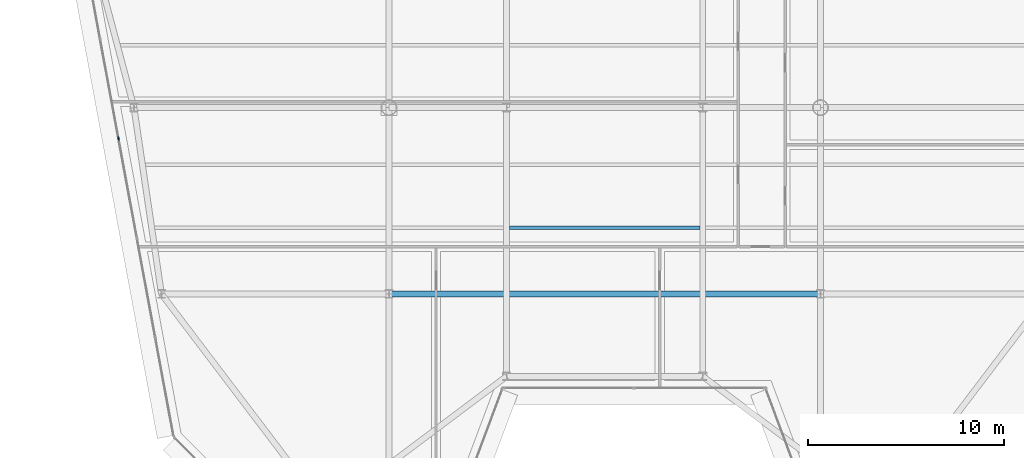
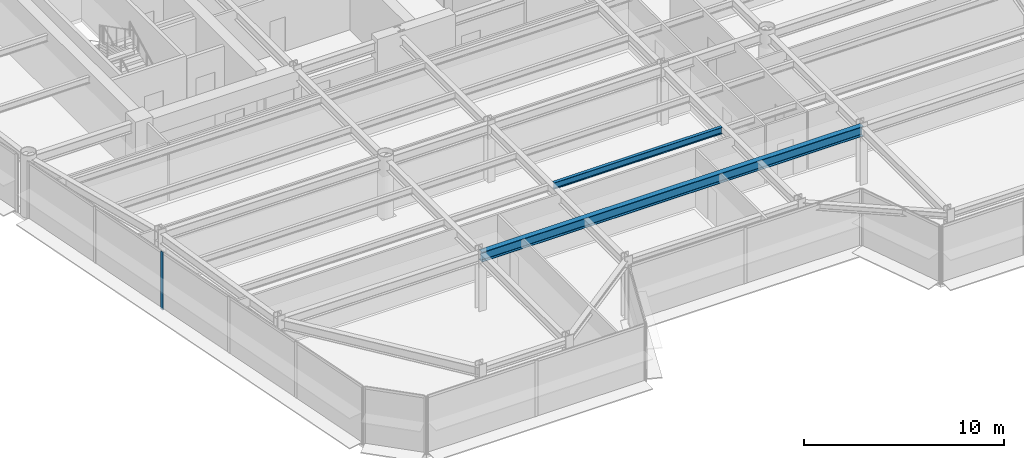
# One storey, part 3 of 17: 2 beams, 1 member, 1 element without a shape of its own.
"""IFC4 building model written with IfcOpenShell, lengths in metres."""

import ifcopenshell
import ifcopenshell.guid

model = None  # the IFC model being written
_history = None  # IfcOwnerHistory: only IFC2X3 demands one
_inside = {}  # id of a spatial element -> (the spatial element, [elements in it])
_under = {}  # id of a project, library or spatial element -> (it, [spatial elements below it])
_declared = {}  # id of a project -> (the project, [libraries it declares])
_typed = {}  # id of a type object -> (the type object, [elements of that type])
_made_of = {}  # id of a material, layer set ... -> (it, [elements and type objects made of it])


def new_model(schema):
    """Start an empty IFC model of exactly this schema.

    Asked for "IFC4X3", IfcOpenShell would pick the latest addendum, in which some entities
    have other attributes; the version numbers below select the first issue.
    IFC2X3 requires an IfcOwnerHistory on every rooted entity: one is made here for all.
    """
    global model, _history
    if schema == "IFC4X3":
        model = ifcopenshell.file(schema_version=(4, 3, 0, 0))
    else:
        model = ifcopenshell.file(schema=schema)
    _inside.clear()
    _under.clear()
    _declared.clear()
    _typed.clear()
    _made_of.clear()
    _history = None
    if model.schema == "IFC2X3":
        org = make("IfcOrganization", Name="unknown")
        user = make(
            "IfcPersonAndOrganization",
            ThePerson=make("IfcPerson", FamilyName="unknown"),
            TheOrganization=org,
        )
        app = make(
            "IfcApplication",
            ApplicationDeveloper=org,
            Version="unknown",
            ApplicationFullName="unknown",
            ApplicationIdentifier="unknown",
        )
        _history = make(
            "IfcOwnerHistory",
            OwningUser=user,
            OwningApplication=app,
            ChangeAction="ADDED",
            CreationDate=0,
        )
    return model


def make(cls, **values):
    """One entity of the class cls with the attributes given. An attribute that is None is left unset."""
    return model.create_entity(
        cls, **{name: value for name, value in values.items() if value is not None}
    )


def rooted(cls, **values):
    """An entity with a GlobalId (a new one), such as an element, a storey or a relation."""
    return make(cls, GlobalId=ifcopenshell.guid.new(), OwnerHistory=_history, **values)


def si_unit(unit_type, name, prefix=None):
    """IfcSIUnit, for example si_unit("LENGTHUNIT", "METRE", prefix="MILLI")."""
    return make("IfcSIUnit", UnitType=unit_type, Prefix=prefix, Name=name)


def assignment(units):
    """IfcUnitAssignment: the units of a project."""
    return None if units is None else make("IfcUnitAssignment", Units=units)


def point(xyz):
    """IfcCartesianPoint."""
    return None if xyz is None else make("IfcCartesianPoint", Coordinates=xyz)


def direction(xyz):
    """IfcDirection."""
    return None if xyz is None else make("IfcDirection", DirectionRatios=xyz)


def frame(location, z_axis=None, x_axis=None):
    """IfcAxis2Placement3D, a coordinate frame: its origin and axes. An axis left out is left unset."""
    return make(
        "IfcAxis2Placement3D",
        Location=point(location),
        Axis=direction(z_axis),
        RefDirection=direction(x_axis),
    )


def frame_2d(location, x_axis=None):
    """IfcAxis2Placement2D, a coordinate frame in the plane: its origin and x axis."""
    return make(
        "IfcAxis2Placement2D", Location=point(location), RefDirection=direction(x_axis)
    )


def origin():
    """The frame at (0, 0, 0) with its axes left unset."""
    return frame((0.0, 0.0, 0.0))


def origin_2d():
    """The frame at (0, 0) in the plane with its x axis left unset."""
    return frame_2d((0.0, 0.0))


def place(relative_to, where):
    """IfcLocalPlacement: puts the frame where relative to a parent placement (None: the world)."""
    return make(
        "IfcLocalPlacement", PlacementRelTo=relative_to, RelativePlacement=where
    )


def context(
    kind, dimensions, precision=None, world=None, true_north=None, identifier=None
):
    """IfcGeometricRepresentationContext, for example the 3D "Model" context."""
    return make(
        "IfcGeometricRepresentationContext",
        ContextIdentifier=identifier,
        ContextType=kind,
        CoordinateSpaceDimension=dimensions,
        Precision=precision,
        WorldCoordinateSystem=world,
        TrueNorth=true_north,
    )


def subcontext(parent, identifier, kind, view, scale=None):
    """IfcGeometricRepresentationSubContext, for example "Body" below "Model"."""
    return make(
        "IfcGeometricRepresentationSubContext",
        ContextIdentifier=identifier,
        ContextType=kind,
        ParentContext=parent,
        TargetScale=scale,
        TargetView=view,
    )


def project(units=None, contexts=None):
    """IfcProject with its units and contexts."""
    return rooted(
        "IfcProject",
        Name="project",
        RepresentationContexts=contexts,
        UnitsInContext=assignment(units),
    )


def spatial(cls, under=None, at=None, **own):
    """A site, building, storey or space (cls), placed at a placement, below another one or the project."""
    s = rooted(cls, ObjectPlacement=at, **own)
    if under is not None:
        _under.setdefault(under.id(), (under, []))[1].append(s)
    return s


def profile(cls, at=None, kind="AREA", **sizes):
    """A parametric profile (cls). Its sizes go by their IFC names, for example OverallWidth=200.0."""
    return make(cls, ProfileType=kind, Position=at, **sizes)


def rectangle(**sizes):
    """IfcRectangleProfileDef."""
    return profile("IfcRectangleProfileDef", **sizes)


def i_section(**sizes):
    """IfcIShapeProfileDef."""
    return profile("IfcIShapeProfileDef", **sizes)


def extrude(swept, where, along, depth):
    """IfcExtrudedAreaSolid: the profile swept, set in the frame where, extruded along a direction by depth."""
    return make(
        "IfcExtrudedAreaSolid",
        SweptArea=swept,
        Position=where,
        ExtrudedDirection=direction(along),
        Depth=depth,
    )


def shape(context_of_items, identifier, shape_type, items):
    """IfcShapeRepresentation: the items that make up one representation, for example the "Body"."""
    return make(
        "IfcShapeRepresentation",
        ContextOfItems=context_of_items,
        RepresentationIdentifier=identifier,
        RepresentationType=shape_type,
        Items=items,
    )


def source(mapping_origin, context_of_items, identifier, shape_type, items):
    """IfcRepresentationMap: a shape defined once, which mapped items show again and again."""
    return make(
        "IfcRepresentationMap",
        MappingOrigin=mapping_origin,
        MappedRepresentation=shape(context_of_items, identifier, shape_type, items),
    )


def transform(
    local_origin,
    x_axis=None,
    y_axis=None,
    z_axis=None,
    scale=None,
    scale2=None,
    scale3=None,
    uniform=True,
):
    """IfcCartesianTransformationOperator3D, or its non-uniform kind. x_axis, y_axis, z_axis: its Axis1, 2, 3."""
    if uniform:
        return make(
            "IfcCartesianTransformationOperator3D",
            Axis1=direction(x_axis),
            Axis2=direction(y_axis),
            LocalOrigin=point(local_origin),
            Scale=scale,
            Axis3=direction(z_axis),
        )
    return make(
        "IfcCartesianTransformationOperator3DnonUniform",
        Axis1=direction(x_axis),
        Axis2=direction(y_axis),
        LocalOrigin=point(local_origin),
        Scale=scale,
        Axis3=direction(z_axis),
        Scale2=scale2,
        Scale3=scale3,
    )


def mapped(mapping_source, mapping_target):
    """IfcMappedItem: shows the shape of a source again, moved by a transform."""
    return make(
        "IfcMappedItem", MappingSource=mapping_source, MappingTarget=mapping_target
    )


def material(Name=None, Category=None):
    """IfcMaterial."""
    return make("IfcMaterial", Name=Name, Category=Category)


def layer(
    of_material, thickness, ventilated=None, Name=None, Category=None, Priority=None
):
    """IfcMaterialLayer: one layer of a wall or slab, of a material (None: an air gap)."""
    return make(
        "IfcMaterialLayer",
        Material=of_material,
        LayerThickness=thickness,
        IsVentilated=ventilated,
        Name=Name,
        Category=Category,
        Priority=Priority,
    )


def layer_set(layers, Name=None):
    """IfcMaterialLayerSet."""
    return make("IfcMaterialLayerSet", MaterialLayers=layers, LayerSetName=Name)


def material_profile(
    of_material, cross_section, Name=None, Category=None, Priority=None
):
    """IfcMaterialProfile: a cross section and its material."""
    return make(
        "IfcMaterialProfile",
        Name=Name,
        Material=of_material,
        Profile=cross_section,
        Priority=Priority,
        Category=Category,
    )


def profile_set(profiles, Name=None, composite=None):
    """IfcMaterialProfileSet."""
    return make(
        "IfcMaterialProfileSet",
        Name=Name,
        MaterialProfiles=profiles,
        CompositeProfile=composite,
    )


def made_of(thing, what):
    """Note that an element or type object is made of a material, layer set ...; save() writes the relation."""
    if what is not None:
        _made_of.setdefault(what.id(), (what, []))[1].append(thing)
    return thing


def type_object(cls, material=None, **own):
    """A type object (cls), such as IfcWallType, which elements share."""
    return made_of(rooted(cls, **own), material)


def element(
    cls,
    number,
    at=None,
    inside=None,
    cuts=None,
    type_object=None,
    material=None,
    context=None,
    identifier="Body",
    shape_type=None,
    held_by="IfcProductDefinitionShape",
    body=None,
    shapes=None,
    **own,
):
    """One element of the class cls, such as IfcWall. Its Tag is "e" and its number.

    at: its placement. inside: the storey or other place that contains it. cuts: it is an
    opening in that element (IfcRelVoidsElement). A single representation is given by context,
    identifier, shape_type and body (its items); several are given by shapes. held_by: the class
    of the entity that holds the representations. save() writes the other relations.
    """
    e = rooted(cls, Tag="e%d" % number, ObjectPlacement=at, **own)
    if body is not None:
        shapes = [shape(context, identifier, shape_type, body)]
    if shapes is not None:
        e.Representation = make(held_by, Representations=shapes)
    if inside is not None:
        _inside.setdefault(inside.id(), (inside, []))[1].append(e)
    if cuts is not None:
        rooted(
            "IfcRelVoidsElement", RelatingBuildingElement=cuts, RelatedOpeningElement=e
        )
    if type_object is not None:
        _typed.setdefault(type_object.id(), (type_object, []))[1].append(e)
    return made_of(e, material)


def aggregate(whole, parts):
    """IfcRelAggregates: a whole, such as a stair, and the parts it consists of."""
    return rooted("IfcRelAggregates", RelatingObject=whole, RelatedObjects=parts)


def save(model, path):
    """Write the relations noted so far, then the file.

    IfcRelAggregates (storeys below a building ...), IfcRelContainedInSpatialStructure (elements
    in a storey), IfcRelDefinesByType, IfcRelAssociatesMaterial and IfcRelDeclares: one each for
    every whole, place, type object, material and project.
    """
    for whole, parts in _under.values():
        aggregate(whole, parts)
    for where, things in _inside.values():
        rooted(
            "IfcRelContainedInSpatialStructure",
            RelatedElements=things,
            RelatingStructure=where,
        )
    for kind, things in _typed.values():
        rooted("IfcRelDefinesByType", RelatedObjects=things, RelatingType=kind)
    for what, things in _made_of.values():
        rooted("IfcRelAssociatesMaterial", RelatedObjects=things, RelatingMaterial=what)
    for by, libraries in _declared.values():
        rooted("IfcRelDeclares", RelatingContext=by, RelatedDefinitions=libraries)
    model.write(path)


model = new_model("IFC4")

# Units and contexts
model_context = context("Model", 3, precision=1e-05, world=origin(), true_north=direction((0.0, 1.0)))
body_context = subcontext(model_context, "Body", "Model", "MODEL_VIEW")
ifc_project = project(units=[si_unit("LENGTHUNIT", "METRE"), si_unit("AREAUNIT", "SQUARE_METRE"), si_unit("VOLUMEUNIT", "CUBIC_METRE"), si_unit("PLANEANGLEUNIT", "RADIAN"), si_unit("MASSUNIT", "GRAM", prefix="KILO")], contexts=[model_context])

# Site, building, storey
site_placement = place(None, origin())
site = spatial("IfcSite", under=ifc_project, at=site_placement, CompositionType="ELEMENT")
building_placement = place(site_placement, origin())
building = spatial("IfcBuilding", under=site, at=building_placement, Name="Vaeldorn Concourse Tower", CompositionType="ELEMENT")
storey_placement = place(building_placement, frame((0.0, 0.0, 214.60009765625)))
storey = spatial("IfcBuildingStorey", under=building, at=storey_placement, Name="L55", CompositionType="ELEMENT", Elevation=214.60009765625)

# Beams
ifc_material_1 = material(Name="Steel S355", Category="steel")
ifc_material_profile_1 = material_profile(ifc_material_1, i_section(OverallWidth=0.300048828125, OverallDepth=0.60009765625, WebThickness=0.015380859375, FlangeThickness=0.030029296875, FilletRadius=0.027099609375, at=origin_2d()), Name="HEB 600")
ifc_profile_set_1 = profile_set([ifc_material_profile_1], Name="Steel S355")
beam_type_1 = type_object("IfcBeamType", Name="BM-PG-HEB600", PredefinedType="BEAM", material=ifc_profile_set_1)
shared_shape_1 = source(origin(), body_context, "Body", "SweptSolid", [
    extrude(i_section(OverallWidth=0.300048828125, OverallDepth=0.60009765625, WebThickness=0.015380859375, FlangeThickness=0.030029296875, FilletRadius=0.027099609375, at=origin_2d()), origin(), (0.0, 0.0, 1.0), 22.0),
])
beam_1_placement = place(storey_placement, frame((23.0, 18.0, 3.239990234375), z_axis=(1.0, 0.0, 0.0), x_axis=(0.0, 1.0, 0.0)))
element("IfcBeam", 1, at=beam_1_placement, inside=storey, type_object=beam_type_1, Name="Beam BM-L55-C-TW5-C-TW6", PredefinedType="BEAM", context=body_context, shape_type="MappedRepresentation", body=[
    mapped(shared_shape_1, transform((0.0, 0.0, 0.0), scale=1.0)),
])
ifc_material_profile_2 = material_profile(ifc_material_1, i_section(OverallWidth=0.179931640625, OverallDepth=0.39990234375, WebThickness=0.008544921875, FlangeThickness=0.013427734375, FilletRadius=0.02099609375, at=origin_2d()), Name="IPE 400")
ifc_profile_set_2 = profile_set([ifc_material_profile_2], Name="Steel S355")
beam_type_2 = type_object("IfcBeamType", Name="BM-JS-IPE400", PredefinedType="JOIST", material=ifc_profile_set_2)
shared_shape_2 = source(origin(), body_context, "Body", "SweptSolid", [
    extrude(i_section(OverallWidth=0.179931640625, OverallDepth=0.39990234375, WebThickness=0.008544921875, FlangeThickness=0.013427734375, FilletRadius=0.02099609375, at=origin_2d()), origin(), (0.0, 0.0, 1.0), 9.7001953125),
])
beam_2_placement = place(storey_placement, frame((29.14990234375, 21.3798828125, 3.33984375), z_axis=(1.0, 0.0, 0.0), x_axis=(0.0, 1.0, 0.0)))
element("IfcBeam", 2, at=beam_2_placement, inside=storey, type_object=beam_type_2, Name="Beam JS-L55-C-213", PredefinedType="JOIST", context=body_context, shape_type="MappedRepresentation", body=[
    mapped(shared_shape_2, transform((0.0, 0.0, 0.0), scale=1.0)),
])

# Curtain wall, member
ifc_material_2 = material(Name="Anodised Bronze Aluminium", Category="aluminium")
ifc_layer = layer(ifc_material_2, 0.18994140625)
ifc_layer_set = layer_set([ifc_layer], Name="Anodised Bronze Aluminium")
curtain_wall_type = type_object("IfcCurtainWallType", Name="CW-SYS-03", PredefinedType="NOTDEFINED", material=ifc_layer_set)
curtain_wall_placement = place(storey_placement, origin())
curtain_wall = element("IfcCurtainWall", 3, at=curtain_wall_placement, inside=storey, type_object=curtain_wall_type, Name="Unitised Curtain Wall CW-L55-E11-2", PredefinedType="NOTDEFINED")
ifc_material_profile_3 = material_profile(ifc_material_2, rectangle(XDim=0.06494140625, YDim=0.169921875, at=origin_2d()), Name="CWM 65x170")
ifc_profile_set_3 = profile_set([ifc_material_profile_3], Name="Anodised Bronze Aluminium")
member_type = type_object("IfcMemberType", Name="CWM-BRONZE-170", PredefinedType="MULLION", material=ifc_profile_set_3)
shared_shape_3 = source(origin(), body_context, "Body", "SweptSolid", [
    extrude(rectangle(XDim=0.06494140625, YDim=0.169921875, at=origin_2d()), origin(), (0.0, 0.0, 1.0), 3.539794921875),
])
member_placement = place(storey_placement, frame((9.2119140625, 25.93017578125, 0.0), z_axis=(0.0, 0.0, 1.0), x_axis=(0.983319079021, 0.181888946432, 0.0)))
member = element("IfcMember", 4, at=member_placement, type_object=member_type, Name="CW-03 mullion 3", PredefinedType="MULLION", context=body_context, shape_type="MappedRepresentation", body=[
    mapped(shared_shape_3, transform((0.0, 0.0, 0.0), scale=1.0)),
])
aggregate(curtain_wall, [member])

save(model, "model.ifc")
